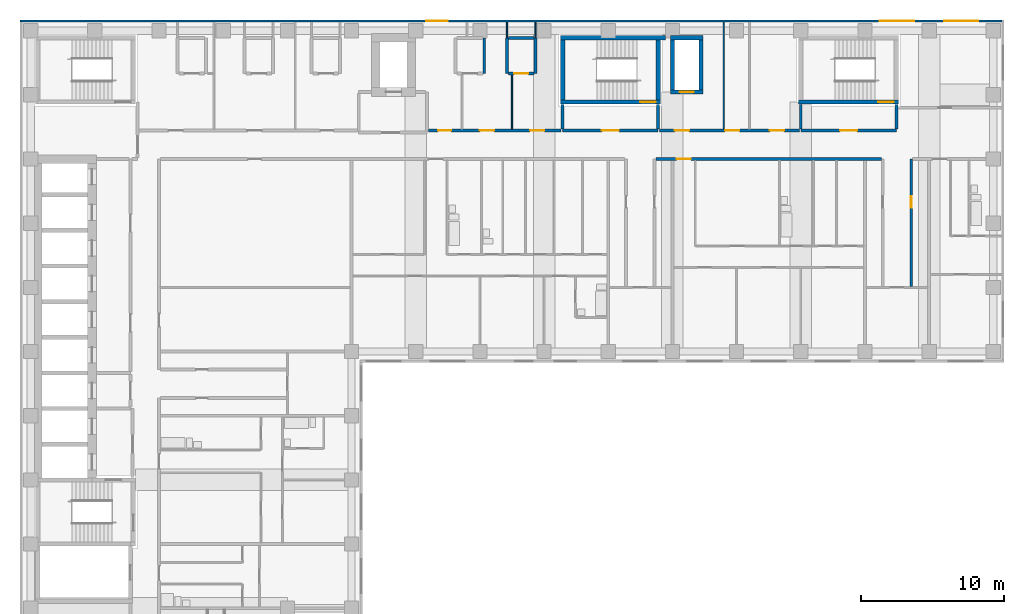
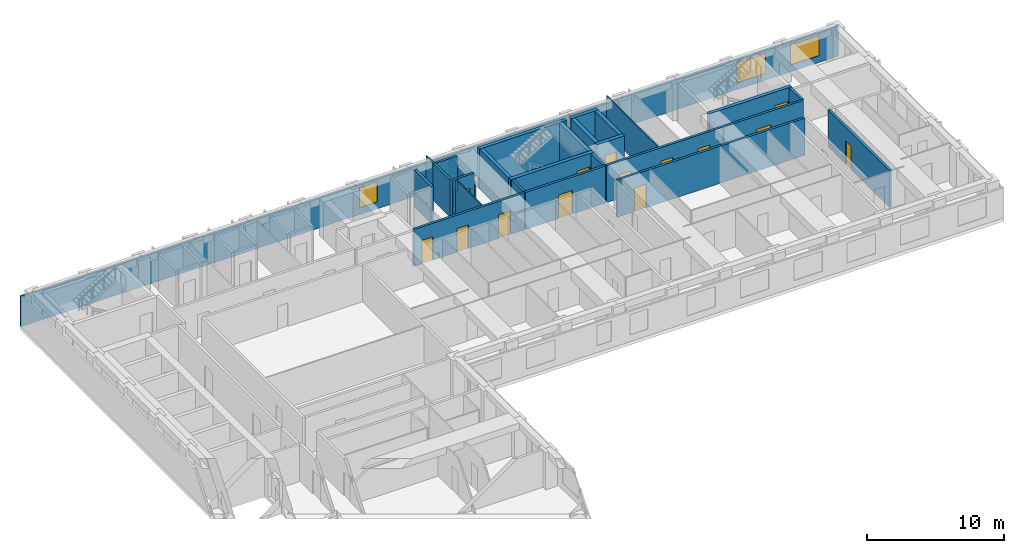
# One storey, part 8 of 12: 29 walls, 14 doors, 3 windows, 17 openings.
"""IFC4 building model written with IfcOpenShell, lengths in metres."""

from ifc_helpers import new_model, si_unit, direction, frame, frame_2d, origin, place, context, subcontext, project, spatial, rectangle, extrude, material, layer, layer_set, type_object, element, fill, save


model = new_model("IFC4")

# Units and contexts
model_context = context("Model", 3, precision=1e-05, world=origin(), true_north=direction((0.0, 1.0)))
body_context = subcontext(model_context, "Body", "Model", "MODEL_VIEW")
ifc_project = project(units=[si_unit("LENGTHUNIT", "METRE"), si_unit("AREAUNIT", "SQUARE_METRE"), si_unit("VOLUMEUNIT", "CUBIC_METRE"), si_unit("PLANEANGLEUNIT", "RADIAN"), si_unit("MASSUNIT", "GRAM", prefix="KILO")], contexts=[model_context])

# Site, building, storey
site_placement = place(None, origin())
site = spatial("IfcSite", under=ifc_project, at=site_placement, CompositionType="ELEMENT")
building_placement = place(site_placement, origin())
building = spatial("IfcBuilding", under=site, at=building_placement, Name="Firuza Court", CompositionType="ELEMENT")
storey_placement = place(building_placement, frame((0.0, 0.0, 155.60009765625)))
storey = spatial("IfcBuildingStorey", under=building, at=storey_placement, Name="L39", CompositionType="ELEMENT", Elevation=155.60009765625)

# Wall, opening, door
ifc_material_1 = material(Name="Concrete C60/75", Category="concrete")
ifc_layer_1 = layer(ifc_material_1, 0.300048828125)
ifc_layer_set_1 = layer_set([ifc_layer_1], Name="Concrete C60/75")
wall_type_1 = type_object("IfcWallType", Name="Core wall 300 C60/75", PredefinedType="SHEAR", material=ifc_layer_set_1)
wall_1_placement = place(storey_placement, frame((37.14990234375, 53.5, -0.300048828125), z_axis=(0.0, 0.0, 1.0), x_axis=(1.0, 0.0, 0.0)))
wall_1 = element("IfcWall", 1, at=wall_1_placement, inside=storey, type_object=wall_type_1, Name="Core wall stair L39", PredefinedType="SHEAR", context=body_context, shape_type="SweptSolid", body=[
    extrude(rectangle(XDim=7.0, YDim=0.300048828125, at=frame_2d((3.5, 0.0))), origin(), (0.0, 0.0, 1.0), 3.599853515625),
])
opening_1_placement = place(wall_1_placement, frame((5.580078125, 0.0, 0.300048828125)))
opening_1 = element("IfcOpeningElement", 2, at=opening_1_placement, cuts=wall_1, Name="Opening D39012", PredefinedType="OPENING", context=body_context, shape_type="SweptSolid", body=[
    extrude(rectangle(XDim=1.10009765625, YDim=2.10009765625, at=frame_2d((0.550048828125, 1.050048828125))), frame((0.0, 0.162109375, 0.0), z_axis=(0.0, -1.0, 0.0), x_axis=(1.0, 0.0, 0.0)), (0.0, 0.0, 1.0), 0.323974609375),
])
ifc_material_2 = material(Name="Timber door leaf in hardwood frame", Category="wood")
door_type_1 = type_object("IfcDoorType", Name="Stair door 1100", OperationType="SINGLE_SWING_LEFT", PredefinedType="DOOR", material=ifc_material_2)
door_1_placement = place(opening_1_placement, origin())
door_1 = element("IfcDoor", 3, at=door_1_placement, inside=storey, type_object=door_type_1, Name="Stair door S1", OperationType="SINGLE_SWING_RIGHT", OverallHeight=2.10009765625, OverallWidth=1.10009765625, PredefinedType="DOOR", context=body_context, shape_type="SweptSolid", body=[
    extrude(rectangle(XDim=1.10009765625, YDim=2.10009765625, at=frame_2d((0.550048828125, 1.050048828125))), frame((0.0, 0.02490234375, 0.0), z_axis=(0.0, -1.0, 0.0), x_axis=(1.0, 0.0, 0.0)), (0.0, 0.0, 1.0), 0.050048828125),
])
fill(opening_1, door_1)

# Walls
wall_2_placement = place(storey_placement, frame((37.14990234375, 58.0, -0.300048828125), z_axis=(0.0, 0.0, 1.0), x_axis=(1.0, 0.0, 0.0)))
element("IfcWall", 4, at=wall_2_placement, inside=storey, type_object=wall_type_1, Name="Core wall stair L39", PredefinedType="SHEAR", context=body_context, shape_type="SweptSolid", body=[
    extrude(rectangle(XDim=7.35009765625, YDim=0.300048828125, at=frame_2d((3.675048828125, 0.0))), origin(), (0.0, 0.0, 1.0), 3.599853515625),
])
for number, where, z_axis, x_axis, name in (
    (5, (37.300048828125, 53.64990234375, -0.300048828125), (0.0, 0.0, 1.0), (0.0, 1.0, 0.0), "Core wall stair L39"),
    (6, (44.0, 53.64990234375, -0.300048828125), (0.0, 0.0, 1.0), (0.0, 1.0, 0.0), "Core wall stair L39"),
):
    element("IfcWall", number, at=place(storey_placement, frame(where, z_axis=z_axis, x_axis=x_axis)), inside=storey, type_object=wall_type_1, Name=name, PredefinedType="SHEAR", context=body_context, shape_type="SweptSolid", body=[
        extrude(rectangle(XDim=4.2001953125, YDim=0.300048828125, at=frame_2d((2.10009765625, 0.0))), origin(), (0.0, 0.0, 1.0), 3.599853515625),
    ])

# Wall, opening, door
wall_3_placement = place(storey_placement, frame((44.85009765625, 54.199951171875, -0.300048828125), z_axis=(0.0, 0.0, 1.0), x_axis=(1.0, 0.0, 0.0)))
wall_3 = element("IfcWall", 7, at=wall_3_placement, inside=storey, type_object=wall_type_1, Name="Core wall riser L39", PredefinedType="SHEAR", context=body_context, shape_type="SweptSolid", body=[
    extrude(rectangle(XDim=2.2998046875, YDim=0.300048828125, at=frame_2d((1.14990234375, 0.0))), origin(), (0.0, 0.0, 1.0), 3.599853515625),
])
opening_2_placement = place(wall_3_placement, frame((0.64990234375, 0.0, 0.300048828125)))
opening_2 = element("IfcOpeningElement", 8, at=opening_2_placement, cuts=wall_3, Name="Opening D39010", PredefinedType="OPENING", context=body_context, shape_type="SweptSolid", body=[
    extrude(rectangle(XDim=1.0, YDim=2.10009765625, at=frame_2d((0.5, 1.050048828125))), frame((0.0, 0.162109375, 0.0), z_axis=(0.0, -1.0, 0.0), x_axis=(1.0, 0.0, 0.0)), (0.0, 0.0, 1.0), 0.323974609375),
])
ifc_material_3 = material(Name="Timber door leaf in hardwood frame", Category="wood")
door_type_2 = type_object("IfcDoorType", Name="Riser door 1000", OperationType="SINGLE_SWING_LEFT", PredefinedType="DOOR", material=ifc_material_3)
door_2_placement = place(opening_2_placement, origin())
door_2 = element("IfcDoor", 9, at=door_2_placement, inside=storey, type_object=door_type_2, Name="Riser door R3", OperationType="SINGLE_SWING_LEFT", OverallHeight=2.10009765625, OverallWidth=1.0, PredefinedType="DOOR", context=body_context, shape_type="SweptSolid", body=[
    extrude(rectangle(XDim=1.0, YDim=2.10009765625, at=frame_2d((0.5, 1.050048828125))), frame((0.0, 0.02490234375, 0.0), z_axis=(0.0, -1.0, 0.0), x_axis=(1.0, 0.0, 0.0)), (0.0, 0.0, 1.0), 0.050048828125),
])
fill(opening_2, door_2)

# Walls
wall_4_placement = place(storey_placement, frame((44.85009765625, 58.0, -0.300048828125), z_axis=(0.0, 0.0, 1.0), x_axis=(1.0, 0.0, 0.0)))
element("IfcWall", 10, at=wall_4_placement, inside=storey, type_object=wall_type_1, Name="Core wall riser L39", PredefinedType="SHEAR", context=body_context, shape_type="SweptSolid", body=[
    extrude(rectangle(XDim=2.2998046875, YDim=0.300048828125, at=frame_2d((1.14990234375, 0.0))), origin(), (0.0, 0.0, 1.0), 3.599853515625),
])
for number, where, z_axis, x_axis, name in (
    (11, (45.0, 54.35009765625, -0.300048828125), (0.0, 0.0, 1.0), (0.0, 1.0, 0.0), "Core wall riser L39"),
    (12, (47.0, 54.35009765625, -0.300048828125), (0.0, 0.0, 1.0), (0.0, 1.0, 0.0), "Core wall riser L39"),
):
    element("IfcWall", number, at=place(storey_placement, frame(where, z_axis=z_axis, x_axis=x_axis)), inside=storey, type_object=wall_type_1, Name=name, PredefinedType="SHEAR", context=body_context, shape_type="SweptSolid", body=[
        extrude(rectangle(XDim=3.5, YDim=0.300048828125, at=frame_2d((1.75, 0.0))), origin(), (0.0, 0.0, 1.0), 3.599853515625),
    ])

# Wall, opening, door
wall_5_placement = place(storey_placement, frame((53.85009765625, 53.5, -0.300048828125), z_axis=(0.0, 0.0, 1.0), x_axis=(1.0, 0.0, 0.0)))
wall_5 = element("IfcWall", 13, at=wall_5_placement, inside=storey, type_object=wall_type_1, Name="Core wall stair L39", PredefinedType="SHEAR", context=body_context, shape_type="SweptSolid", body=[
    extrude(rectangle(XDim=7.0, YDim=0.300048828125, at=frame_2d((3.5, 0.0))), origin(), (0.0, 0.0, 1.0), 3.599853515625),
])
opening_3_placement = place(wall_5_placement, frame((5.580078125, 0.0, 0.300048828125)))
opening_3 = element("IfcOpeningElement", 14, at=opening_3_placement, cuts=wall_5, Name="Opening D39016", PredefinedType="OPENING", context=body_context, shape_type="SweptSolid", body=[
    extrude(rectangle(XDim=1.10009765625, YDim=2.10009765625, at=frame_2d((0.550048828125, 1.050048828125))), frame((0.0, 0.162109375, 0.0), z_axis=(0.0, -1.0, 0.0), x_axis=(1.0, 0.0, 0.0)), (0.0, 0.0, 1.0), 0.323974609375),
])
door_3_placement = place(opening_3_placement, origin())
door_3 = element("IfcDoor", 15, at=door_3_placement, inside=storey, type_object=door_type_1, Name="Stair door S4", OperationType="SINGLE_SWING_RIGHT", OverallHeight=2.10009765625, OverallWidth=1.10009765625, PredefinedType="DOOR", context=body_context, shape_type="SweptSolid", body=[
    extrude(rectangle(XDim=1.10009765625, YDim=2.10009765625, at=frame_2d((0.550048828125, 1.050048828125))), frame((0.0, 0.02490234375, 0.0), z_axis=(0.0, -1.0, 0.0), x_axis=(1.0, 0.0, 0.0)), (0.0, 0.0, 1.0), 0.050048828125),
])
fill(opening_3, door_3)

ifc_material_4 = material(Name="Blockwork, plastered both sides", Category="masonry")
ifc_layer_2 = layer(ifc_material_4, 0.199951171875)
ifc_layer_set_2 = layer_set([ifc_layer_2], Name="Blockwork, plastered both sides")
wall_type_2 = type_object("IfcWallType", Name="Corridor wall 200", PredefinedType="PARTITIONING", material=ifc_layer_set_2)
wall_6_placement = place(storey_placement, frame((61.75, 40.550048828125, 0.0), z_axis=(0.0, 0.0, 1.0), x_axis=(0.0, 1.0, 0.0)))
wall_6 = element("IfcWall", 16, at=wall_6_placement, inside=storey, type_object=wall_type_2, Name="Corridor wall 200 L39", PredefinedType="PARTITIONING", context=body_context, shape_type="SweptSolid", body=[
    extrude(rectangle(XDim=8.949951171875, YDim=0.199951171875, at=frame_2d((4.47509765625, 0.0))), origin(), (0.0, 0.0, 1.0), 3.2998046875),
])
opening_4_placement = place(wall_6_placement, frame((5.550048828125, 0.0, 0.0)))
opening_4 = element("IfcOpeningElement", 17, at=opening_4_placement, cuts=wall_6, Name="Opening D39045", PredefinedType="OPENING", context=body_context, shape_type="SweptSolid", body=[
    extrude(rectangle(XDim=0.800048828125, YDim=2.10009765625, at=frame_2d((0.39990234375, 1.050048828125))), frame((0.0, 0.11181640625, 0.0), z_axis=(0.0, -1.0, 0.0), x_axis=(1.0, 0.0, 0.0)), (0.0, 0.0, 1.0), 0.223876953125),
])
ifc_material_5 = material(Name="Timber door leaf in hardwood frame", Category="wood")
door_type_3 = type_object("IfcDoorType", Name="Room door 800 EI 30", OperationType="SINGLE_SWING_LEFT", PredefinedType="DOOR", material=ifc_material_5)
door_4_placement = place(opening_4_placement, frame((0.800048828125, 0.0, 0.0), z_axis=(0.0, 0.0, 1.0), x_axis=(-1.0, 0.0, 0.0)))
door_4 = element("IfcDoor", 18, at=door_4_placement, inside=storey, type_object=door_type_3, Name="Store door", OperationType="SINGLE_SWING_LEFT", OverallHeight=2.10009765625, OverallWidth=0.800048828125, PredefinedType="DOOR", context=body_context, shape_type="SweptSolid", body=[
    extrude(rectangle(XDim=0.800048828125, YDim=2.10009765625, at=frame_2d((0.39990234375, 1.050048828125))), frame((0.0, 0.02490234375, 0.0), z_axis=(0.0, -1.0, 0.0), x_axis=(1.0, 0.0, 0.0)), (0.0, 0.0, 1.0), 0.050048828125),
])
fill(opening_4, door_4)

wall_7_placement = place(storey_placement, frame((43.85009765625, 49.5, 0.0), z_axis=(0.0, 0.0, 1.0), x_axis=(1.0, 0.0, 0.0)))
wall_7 = element("IfcWall", 19, at=wall_7_placement, inside=storey, type_object=wall_type_2, Name="Corridor wall 200 L39", PredefinedType="PARTITIONING", context=body_context, shape_type="SweptSolid", body=[
    extrude(rectangle(XDim=15.7998046875, YDim=0.199951171875, at=frame_2d((7.89990234375, 0.0))), origin(), (0.0, 0.0, 1.0), 3.2998046875),
])
opening_5_placement = place(wall_7_placement, frame((1.449951171875, 0.0, 0.0)))
opening_5 = element("IfcOpeningElement", 20, at=opening_5_placement, cuts=wall_7, Name="Opening D39068", PredefinedType="OPENING", context=body_context, shape_type="SweptSolid", body=[
    extrude(rectangle(XDim=1.0, YDim=2.10009765625, at=frame_2d((0.5, 1.050048828125))), frame((0.0, 0.11181640625, 0.0), z_axis=(0.0, -1.0, 0.0), x_axis=(1.0, 0.0, 0.0)), (0.0, 0.0, 1.0), 0.223876953125),
])
ifc_material_6 = material(Name="Timber door leaf in hardwood frame", Category="wood")
door_type_4 = type_object("IfcDoorType", Name="Flat entrance door 1000", OperationType="SINGLE_SWING_LEFT", PredefinedType="DOOR", material=ifc_material_6)
door_5_placement = place(opening_5_placement, origin())
door_5 = element("IfcDoor", 21, at=door_5_placement, inside=storey, type_object=door_type_4, Name="Flat entrance door", OperationType="SINGLE_SWING_LEFT", OverallHeight=2.10009765625, OverallWidth=1.0, PredefinedType="DOOR", context=body_context, shape_type="SweptSolid", body=[
    extrude(rectangle(XDim=1.0, YDim=2.10009765625, at=frame_2d((0.5, 1.050048828125))), frame((0.0, 0.02490234375, 0.0), z_axis=(0.0, -1.0, 0.0), x_axis=(1.0, 0.0, 0.0)), (0.0, 0.0, 1.0), 0.050048828125),
])
fill(opening_5, door_5)

# Wall, openings, doors
wall_8_placement = place(storey_placement, frame((27.89990234375, 51.5, 0.0), z_axis=(0.0, 0.0, 1.0), x_axis=(1.0, 0.0, 0.0)))
wall_8 = element("IfcWall", 22, at=wall_8_placement, inside=storey, type_object=wall_type_2, Name="Corridor wall 200 L39", PredefinedType="PARTITIONING", context=body_context, shape_type="SweptSolid", body=[
    extrude(rectangle(XDim=9.300048828125, YDim=0.199951171875, at=frame_2d((4.64990234375, 0.0))), origin(), (0.0, 0.0, 1.0), 3.2998046875),
])
opening_6_placement = place(wall_8_placement, frame((0.675048828125, 0.0, 0.0)))
opening_6 = element("IfcOpeningElement", 23, at=opening_6_placement, cuts=wall_8, Name="Opening D39073", PredefinedType="OPENING", context=body_context, shape_type="SweptSolid", body=[
    extrude(rectangle(XDim=0.89990234375, YDim=2.10009765625, at=frame_2d((0.449951171875, 1.050048828125))), frame((0.0, 0.11181640625, 0.0), z_axis=(0.0, -1.0, 0.0), x_axis=(1.0, 0.0, 0.0)), (0.0, 0.0, 1.0), 0.223876953125),
])
opening_7_placement = place(wall_8_placement, frame((3.60009765625, 0.0, 0.0)))
opening_7 = element("IfcOpeningElement", 24, at=opening_7_placement, cuts=wall_8, Name="Opening D39074", PredefinedType="OPENING", context=body_context, shape_type="SweptSolid", body=[
    extrude(rectangle(XDim=1.0, YDim=2.10009765625, at=frame_2d((0.5, 1.050048828125))), frame((0.0, 0.11181640625, 0.0), z_axis=(0.0, -1.0, 0.0), x_axis=(1.0, 0.0, 0.0)), (0.0, 0.0, 1.0), 0.223876953125),
])
opening_8_placement = place(wall_8_placement, frame((7.125, 0.0, 0.0)))
opening_8 = element("IfcOpeningElement", 25, at=opening_8_placement, cuts=wall_8, Name="Opening D39075", PredefinedType="OPENING", context=body_context, shape_type="SweptSolid", body=[
    extrude(rectangle(XDim=1.0, YDim=2.10009765625, at=frame_2d((0.5, 1.050048828125))), frame((0.0, 0.11181640625, 0.0), z_axis=(0.0, -1.0, 0.0), x_axis=(1.0, 0.0, 0.0)), (0.0, 0.0, 1.0), 0.223876953125),
])
ifc_material_7 = material(Name="Timber door leaf in hardwood frame", Category="wood")
door_type_5 = type_object("IfcDoorType", Name="Room door 900 EI 30", OperationType="SINGLE_SWING_LEFT", PredefinedType="DOOR", material=ifc_material_7)
door_6_placement = place(opening_6_placement, origin())
door_6 = element("IfcDoor", 26, at=door_6_placement, inside=storey, type_object=door_type_5, Name="Residents' workroom door", OperationType="SINGLE_SWING_LEFT", OverallHeight=2.10009765625, OverallWidth=0.89990234375, PredefinedType="DOOR", context=body_context, shape_type="SweptSolid", body=[
    extrude(rectangle(XDim=0.89990234375, YDim=2.10009765625, at=frame_2d((0.449951171875, 1.050048828125))), frame((0.0, 0.02490234375, 0.0), z_axis=(0.0, -1.0, 0.0), x_axis=(1.0, 0.0, 0.0)), (0.0, 0.0, 1.0), 0.050048828125),
])
fill(opening_6, door_6)
ifc_material_8 = material(Name="Timber door leaf in hardwood frame", Category="wood")
door_type_6 = type_object("IfcDoorType", Name="Store door 1000", OperationType="SINGLE_SWING_LEFT", PredefinedType="DOOR", material=ifc_material_8)
door_7_placement = place(opening_7_placement, origin())
door_7 = element("IfcDoor", 27, at=door_7_placement, inside=storey, type_object=door_type_6, Name="Refuse store door", OperationType="SINGLE_SWING_LEFT", OverallHeight=2.10009765625, OverallWidth=1.0, PredefinedType="DOOR", context=body_context, shape_type="SweptSolid", body=[
    extrude(rectangle(XDim=1.0, YDim=2.10009765625, at=frame_2d((0.5, 1.050048828125))), frame((0.0, 0.02490234375, 0.0), z_axis=(0.0, -1.0, 0.0), x_axis=(1.0, 0.0, 0.0)), (0.0, 0.0, 1.0), 0.050048828125),
])
fill(opening_7, door_7)
door_8_placement = place(opening_8_placement, origin())
door_8 = element("IfcDoor", 28, at=door_8_placement, inside=storey, type_object=door_type_6, Name="Cleaner's store door", OperationType="SINGLE_SWING_LEFT", OverallHeight=2.10009765625, OverallWidth=1.0, PredefinedType="DOOR", context=body_context, shape_type="SweptSolid", body=[
    extrude(rectangle(XDim=1.0, YDim=2.10009765625, at=frame_2d((0.5, 1.050048828125))), frame((0.0, 0.02490234375, 0.0), z_axis=(0.0, -1.0, 0.0), x_axis=(1.0, 0.0, 0.0)), (0.0, 0.0, 1.0), 0.050048828125),
])
fill(opening_8, door_8)

wall_9_placement = place(storey_placement, frame((44.10009765625, 51.5, 0.0), z_axis=(0.0, 0.0, 1.0), x_axis=(1.0, 0.0, 0.0)))
wall_9 = element("IfcWall", 29, at=wall_9_placement, inside=storey, type_object=wall_type_2, Name="Corridor wall 200 L39", PredefinedType="PARTITIONING", context=body_context, shape_type="SweptSolid", body=[
    extrude(rectangle(XDim=9.7998046875, YDim=0.199951171875, at=frame_2d((4.89990234375, 0.0))), origin(), (0.0, 0.0, 1.0), 3.2998046875),
])
opening_9_placement = place(wall_9_placement, frame((7.72509765625, 0.0, 0.0)))
opening_9 = element("IfcOpeningElement", 30, at=opening_9_placement, cuts=wall_9, Name="Opening D39076", PredefinedType="OPENING", context=body_context, shape_type="SweptSolid", body=[
    extrude(rectangle(XDim=1.0, YDim=2.10009765625, at=frame_2d((0.5, 1.050048828125))), frame((0.0, 0.11181640625, 0.0), z_axis=(0.0, -1.0, 0.0), x_axis=(1.0, 0.0, 0.0)), (0.0, 0.0, 1.0), 0.223876953125),
])
opening_10_placement = place(wall_9_placement, frame((1.074951171875, 0.0, 0.0)))
opening_10 = element("IfcOpeningElement", 31, at=opening_10_placement, cuts=wall_9, Name="Opening D39077", PredefinedType="OPENING", context=body_context, shape_type="SweptSolid", body=[
    extrude(rectangle(XDim=1.0, YDim=2.10009765625, at=frame_2d((0.5, 1.050048828125))), frame((0.0, 0.11181640625, 0.0), z_axis=(0.0, -1.0, 0.0), x_axis=(1.0, 0.0, 0.0)), (0.0, 0.0, 1.0), 0.223876953125),
])
opening_11_placement = place(wall_9_placement, frame((4.60009765625, 0.0, 0.0)))
opening_11 = element("IfcOpeningElement", 32, at=opening_11_placement, cuts=wall_9, Name="Opening D39078", PredefinedType="OPENING", context=body_context, shape_type="SweptSolid", body=[
    extrude(rectangle(XDim=1.0, YDim=2.10009765625, at=frame_2d((0.5, 1.050048828125))), frame((0.0, 0.11181640625, 0.0), z_axis=(0.0, -1.0, 0.0), x_axis=(1.0, 0.0, 0.0)), (0.0, 0.0, 1.0), 0.223876953125),
])
door_9_placement = place(opening_9_placement, origin())
door_9 = element("IfcDoor", 33, at=door_9_placement, inside=storey, type_object=door_type_6, Name="Cleaner's store door", OperationType="SINGLE_SWING_LEFT", OverallHeight=2.10009765625, OverallWidth=1.0, PredefinedType="DOOR", context=body_context, shape_type="SweptSolid", body=[
    extrude(rectangle(XDim=1.0, YDim=2.10009765625, at=frame_2d((0.5, 1.050048828125))), frame((0.0, 0.02490234375, 0.0), z_axis=(0.0, -1.0, 0.0), x_axis=(1.0, 0.0, 0.0)), (0.0, 0.0, 1.0), 0.050048828125),
])
fill(opening_9, door_9)
door_10_placement = place(opening_10_placement, origin())
door_10 = element("IfcDoor", 34, at=door_10_placement, inside=storey, type_object=door_type_6, Name="Comms room door", OperationType="SINGLE_SWING_LEFT", OverallHeight=2.10009765625, OverallWidth=1.0, PredefinedType="DOOR", context=body_context, shape_type="SweptSolid", body=[
    extrude(rectangle(XDim=1.0, YDim=2.10009765625, at=frame_2d((0.5, 1.050048828125))), frame((0.0, 0.02490234375, 0.0), z_axis=(0.0, -1.0, 0.0), x_axis=(1.0, 0.0, 0.0)), (0.0, 0.0, 1.0), 0.050048828125),
])
fill(opening_10, door_10)
door_11_placement = place(opening_11_placement, origin())
door_11 = element("IfcDoor", 35, at=door_11_placement, inside=storey, type_object=door_type_6, Name="Bicycle store door", OperationType="SINGLE_SWING_LEFT", OverallHeight=2.10009765625, OverallWidth=1.0, PredefinedType="DOOR", context=body_context, shape_type="SweptSolid", body=[
    extrude(rectangle(XDim=1.0, YDim=2.10009765625, at=frame_2d((0.5, 1.050048828125))), frame((0.0, 0.02490234375, 0.0), z_axis=(0.0, -1.0, 0.0), x_axis=(1.0, 0.0, 0.0)), (0.0, 0.0, 1.0), 0.050048828125),
])
fill(opening_11, door_11)

# Walls
ifc_material_9 = material(Name="Timber stud partition, plasterboard both sides", Category="wood")
ifc_layer_3 = layer(ifc_material_9, 0.10009765625)
ifc_layer_set_3 = layer_set([ifc_layer_3], Name="Timber stud partition, plasterboard both sides")
wall_type_3 = type_object("IfcWallType", Name="Partition wall 100", PredefinedType="PARTITIONING", material=ifc_layer_set_3)
wall_10_placement = place(storey_placement, frame((33.75, 51.60009765625, 0.0), z_axis=(0.0, 0.0, 1.0), x_axis=(0.0, 1.0, 0.0)))
element("IfcWall", 36, at=wall_10_placement, inside=storey, type_object=wall_type_3, Name="Partition wall 100 L39", PredefinedType="PARTITIONING", context=body_context, shape_type="SweptSolid", body=[
    extrude(rectangle(XDim=3.7998046875, YDim=0.10009765625, at=frame_2d((1.89990234375, 0.0))), origin(), (0.0, 0.0, 1.0), 3.2998046875),
])
wall_11_placement = place(storey_placement, frame((48.60009765625, 51.60009765625, 0.0), z_axis=(0.0, 0.0, 1.0), x_axis=(0.0, 1.0, 0.0)))
element("IfcWall", 37, at=wall_11_placement, inside=storey, type_object=wall_type_3, Name="Partition wall 100 L39", PredefinedType="PARTITIONING", context=body_context, shape_type="SweptSolid", body=[
    extrude(rectangle(XDim=7.5, YDim=0.10009765625, at=frame_2d((3.75, 0.0))), origin(), (0.0, 0.0, 1.0), 3.2998046875),
])
wall_12_placement = place(storey_placement, frame((33.39990234375, 58.0, 0.0), z_axis=(0.0, 0.0, 1.0), x_axis=(0.0, 1.0, 0.0)))
element("IfcWall", 38, at=wall_12_placement, inside=storey, type_object=wall_type_3, Name="Partition wall 100 L39", PredefinedType="PARTITIONING", context=body_context, shape_type="SweptSolid", body=[
    extrude(rectangle(XDim=1.10009765625, YDim=0.10009765625, at=frame_2d((0.550048828125, 0.0))), origin(), (0.0, 0.0, 1.0), 3.2998046875),
])
wall_13_placement = place(storey_placement, frame((35.39990234375, 58.0, 0.0), z_axis=(0.0, 0.0, 1.0), x_axis=(0.0, 1.0, 0.0)))
element("IfcWall", 39, at=wall_13_placement, inside=storey, type_object=wall_type_3, Name="Partition wall 100 L39", PredefinedType="PARTITIONING", context=body_context, shape_type="SweptSolid", body=[
    extrude(rectangle(XDim=1.10009765625, YDim=0.10009765625, at=frame_2d((0.550048828125, 0.0))), origin(), (0.0, 0.0, 1.0), 2.39990234375),
])
ifc_material_10 = material(Name="Blockwork, fire-rated", Category="masonry")
ifc_layer_4 = layer(ifc_material_10, 0.199951171875)
ifc_layer_set_4 = layer_set([ifc_layer_4], Name="Blockwork, fire-rated")
wall_type_4 = type_object("IfcWallType", Name="Plant room wall 200", PredefinedType="PARTITIONING", material=ifc_layer_set_4)
for number, where, z_axis, x_axis, name in (
    (40, (31.800048828125, 55.5, 0.0), (0.0, 0.0, 1.0), (0.0, 1.0, 0.0), "Plant room wall 200 L39"),
    (41, (33.39990234375, 55.5, 0.0), (0.0, 0.0, 1.0), (0.0, 1.0, 0.0), "Plant room wall 200 L39"),
):
    element("IfcWall", number, at=place(storey_placement, frame(where, z_axis=z_axis, x_axis=x_axis)), inside=storey, type_object=wall_type_4, Name=name, PredefinedType="PARTITIONING", context=body_context, shape_type="SweptSolid", body=[
        extrude(rectangle(XDim=2.5, YDim=0.199951171875, at=frame_2d((1.25, 0.0))), origin(), (0.0, 0.0, 1.0), 3.2998046875),
    ])

# Wall, opening, door
wall_14_placement = place(storey_placement, frame((33.5, 55.5, 0.0), z_axis=(0.0, 0.0, 1.0), x_axis=(1.0, 0.0, 0.0)))
wall_14 = element("IfcWall", 42, at=wall_14_placement, inside=storey, type_object=wall_type_4, Name="Plant room wall 200 L39", PredefinedType="PARTITIONING", context=body_context, shape_type="SweptSolid", body=[
    extrude(rectangle(XDim=1.800048828125, YDim=0.199951171875, at=frame_2d((0.89990234375, 0.0))), origin(), (0.0, 0.0, 1.0), 3.2998046875),
])
opening_12_placement = place(wall_14_placement, frame((0.39990234375, 0.0, 0.0)))
opening_12 = element("IfcOpeningElement", 43, at=opening_12_placement, cuts=wall_14, Name="Opening D39084", PredefinedType="OPENING", context=body_context, shape_type="SweptSolid", body=[
    extrude(rectangle(XDim=1.0, YDim=2.10009765625, at=frame_2d((0.5, 1.050048828125))), frame((0.0, 0.11181640625, 0.0), z_axis=(0.0, -1.0, 0.0), x_axis=(1.0, 0.0, 0.0)), (0.0, 0.0, 1.0), 0.223876953125),
])
door_12_placement = place(opening_12_placement, origin())
door_12 = element("IfcDoor", 44, at=door_12_placement, inside=storey, type_object=door_type_2, Name="Duct riser door", OperationType="SINGLE_SWING_LEFT", OverallHeight=2.10009765625, OverallWidth=1.0, PredefinedType="DOOR", context=body_context, shape_type="SweptSolid", body=[
    extrude(rectangle(XDim=1.0, YDim=2.10009765625, at=frame_2d((0.5, 1.050048828125))), frame((0.0, 0.02490234375, 0.0), z_axis=(0.0, -1.0, 0.0), x_axis=(1.0, 0.0, 0.0)), (0.0, 0.0, 1.0), 0.050048828125),
])
fill(opening_12, door_12)

# Walls
wall_15_placement = place(storey_placement, frame((35.39990234375, 55.5, 0.0), z_axis=(0.0, 0.0, 1.0), x_axis=(0.0, 1.0, 0.0)))
element("IfcWall", 45, at=wall_15_placement, inside=storey, type_object=wall_type_4, Name="Plant room wall 200 L39", PredefinedType="PARTITIONING", context=body_context, shape_type="SweptSolid", body=[
    extrude(rectangle(XDim=2.5, YDim=0.199951171875, at=frame_2d((1.25, 0.0))), origin(), (0.0, 0.0, 1.0), 2.39990234375),
])
wall_16_placement = place(storey_placement, frame((33.5, 58.0, 0.0), z_axis=(0.0, 0.0, 1.0), x_axis=(1.0, 0.0, 0.0)))
element("IfcWall", 46, at=wall_16_placement, inside=storey, type_object=wall_type_4, Name="Plant room wall 200 L39", PredefinedType="PARTITIONING", context=body_context, shape_type="SweptSolid", body=[
    extrude(rectangle(XDim=1.800048828125, YDim=0.199951171875, at=frame_2d((0.89990234375, 0.0))), origin(), (0.0, 0.0, 1.0), 3.2998046875),
])

# Wall, openings, windows
ifc_material_11 = material(Name="Ceramic tile", Category="ceramic")
ifc_layer_5 = layer(ifc_material_11, 0.02001953125)
ifc_material_12 = material(Name="Mineral wool insulation", Category="insulation")
ifc_layer_6 = layer(ifc_material_12, 0.050048828125)
ifc_material_13 = material(Name="Concrete C40/50 precast", Category="concrete")
ifc_layer_7 = layer(ifc_material_13, 0.080078125)
ifc_layer_set_5 = layer_set([ifc_layer_5, ifc_layer_6, ifc_layer_7], Name="Concrete C40/50 precast")
wall_type_5 = type_object("IfcWallType", Name="Precast cladding wall with turquoise TILE PANEL face 150", PredefinedType="STANDARD", material=ifc_layer_set_5)
wall_17_placement = place(storey_placement, frame((68.10009765625, 59.175048828125, 0.0), z_axis=(0.0, 0.0, 1.0), x_axis=(-1.0, 0.0, 0.0)))
wall_17 = element("IfcWall", 47, at=wall_17_placement, inside=storey, type_object=wall_type_5, Name="Facade wall L39 N", PredefinedType="STANDARD", context=body_context, shape_type="SweptSolid", body=[
    extrude(rectangle(XDim=68.85009765625, YDim=0.14990234375, at=frame_2d((34.425048828125, 0.0))), origin(), (0.0, 0.0, 1.0), 2.699951171875),
])
opening_13_placement = place(wall_17_placement, frame((1.64990234375, 0.0, 0.60009765625)))
opening_13 = element("IfcOpeningElement", 48, at=opening_13_placement, cuts=wall_17, Name="Opening W1", PredefinedType="OPENING", context=body_context, shape_type="SweptSolid", body=[
    extrude(rectangle(XDim=2.39990234375, YDim=1.800048828125, at=frame_2d((1.199951171875, 0.89990234375))), frame((0.0, 0.0869140625, 0.0), z_axis=(0.0, -1.0, 0.0), x_axis=(1.0, 0.0, 0.0)), (0.0, 0.0, 1.0), 0.173828125),
])
opening_14_placement = place(wall_17_placement, frame((6.14990234375, 0.0, 0.60009765625)))
opening_14 = element("IfcOpeningElement", 49, at=opening_14_placement, cuts=wall_17, Name="Opening W1", PredefinedType="OPENING", context=body_context, shape_type="SweptSolid", body=[
    extrude(rectangle(XDim=2.39990234375, YDim=1.800048828125, at=frame_2d((1.199951171875, 0.89990234375))), frame((0.0, 0.0869140625, 0.0), z_axis=(0.0, -1.0, 0.0), x_axis=(1.0, 0.0, 0.0)), (0.0, 0.0, 1.0), 0.173828125),
])
opening_15_placement = place(wall_17_placement, frame((38.8466796875, 0.0, 0.60009765625)))
opening_15 = element("IfcOpeningElement", 50, at=opening_15_placement, cuts=wall_17, Name="Opening W2", PredefinedType="OPENING", context=body_context, shape_type="SweptSolid", body=[
    extrude(rectangle(XDim=1.5, YDim=1.800048828125, at=frame_2d((0.75, 0.89990234375))), frame((0.0, 0.0869140625, 0.0), z_axis=(0.0, -1.0, 0.0), x_axis=(1.0, 0.0, 0.0)), (0.0, 0.0, 1.0), 0.173828125),
])
ifc_material_14 = material(Name="Aluminium frame, triple clear glazing", Category="aluminium")
window_type_1 = type_object("IfcWindowType", Name="Window W1 2400 x 1800", PartitioningType="SINGLE_PANEL", PredefinedType="WINDOW", material=ifc_material_14)
window_1_placement = place(opening_13_placement, origin())
window_1 = element("IfcWindow", 51, at=window_1_placement, inside=storey, type_object=window_type_1, Name="Window L39", OverallHeight=1.800048828125, OverallWidth=2.39990234375, PartitioningType="SINGLE_PANEL", PredefinedType="WINDOW", context=body_context, shape_type="SweptSolid", body=[
    extrude(rectangle(XDim=2.39990234375, YDim=1.800048828125, at=frame_2d((1.199951171875, 0.89990234375))), frame((0.0, 0.030029296875, 0.0), z_axis=(0.0, -1.0, 0.0), x_axis=(1.0, 0.0, 0.0)), (0.0, 0.0, 1.0), 0.06005859375),
])
fill(opening_13, window_1)
window_2_placement = place(opening_14_placement, origin())
window_2 = element("IfcWindow", 52, at=window_2_placement, inside=storey, type_object=window_type_1, Name="Window L39", OverallHeight=1.800048828125, OverallWidth=2.39990234375, PartitioningType="SINGLE_PANEL", PredefinedType="WINDOW", context=body_context, shape_type="SweptSolid", body=[
    extrude(rectangle(XDim=2.39990234375, YDim=1.800048828125, at=frame_2d((1.199951171875, 0.89990234375))), frame((0.0, 0.030029296875, 0.0), z_axis=(0.0, -1.0, 0.0), x_axis=(1.0, 0.0, 0.0)), (0.0, 0.0, 1.0), 0.06005859375),
])
fill(opening_14, window_2)
ifc_material_15 = material(Name="Aluminium frame, triple clear glazing", Category="aluminium")
window_type_2 = type_object("IfcWindowType", Name="Window W2 1500 x 1800", PartitioningType="SINGLE_PANEL", PredefinedType="WINDOW", material=ifc_material_15)
window_3_placement = place(opening_15_placement, origin())
window_3 = element("IfcWindow", 53, at=window_3_placement, inside=storey, type_object=window_type_2, Name="Window L39", OverallHeight=1.800048828125, OverallWidth=1.5, PartitioningType="SINGLE_PANEL", PredefinedType="WINDOW", context=body_context, shape_type="SweptSolid", body=[
    extrude(rectangle(XDim=1.5, YDim=1.800048828125, at=frame_2d((0.75, 0.89990234375))), frame((0.0, 0.030029296875, 0.0), z_axis=(0.0, -1.0, 0.0), x_axis=(1.0, 0.0, 0.0)), (0.0, 0.0, 1.0), 0.06005859375),
])
fill(opening_15, window_3)

# Wall, opening, door
ifc_layer_8 = layer(ifc_material_10, 0.199951171875)
ifc_layer_set_6 = layer_set([ifc_layer_8], Name="Blockwork, fire-rated")
wall_type_6 = type_object("IfcWallType", Name="Shaft wall 200", PredefinedType="PARTITIONING", material=ifc_layer_set_6)
wall_18_placement = place(storey_placement, frame((37.300048828125, 51.5, 0.0), z_axis=(0.0, 0.0, 1.0), x_axis=(1.0, 0.0, 0.0)))
wall_18 = element("IfcWall", 54, at=wall_18_placement, inside=storey, type_object=wall_type_6, Name="Shaft wall 200 L39", PredefinedType="PARTITIONING", context=body_context, shape_type="SweptSolid", body=[
    extrude(rectangle(XDim=6.699951171875, YDim=0.199951171875, at=frame_2d((3.35009765625, 0.0))), origin(), (0.0, 0.0, 1.0), 3.2998046875),
])
opening_16_placement = place(wall_18_placement, frame((2.75, 0.0, 0.0)))
opening_16 = element("IfcOpeningElement", 55, at=opening_16_placement, cuts=wall_18, Name="Opening D39006", PredefinedType="OPENING", context=body_context, shape_type="SweptSolid", body=[
    extrude(rectangle(XDim=1.199951171875, YDim=2.10009765625, at=frame_2d((0.60009765625, 1.050048828125))), frame((0.0, 0.11181640625, 0.0), z_axis=(0.0, -1.0, 0.0), x_axis=(1.0, 0.0, 0.0)), (0.0, 0.0, 1.0), 0.223876953125),
])
ifc_material_16 = material(Name="Timber door leaf in hardwood frame", Category="wood")
door_type_7 = type_object("IfcDoorType", Name="Lobby door 1200", OperationType="SINGLE_SWING_LEFT", PredefinedType="DOOR", material=ifc_material_16)
door_13_placement = place(opening_16_placement, origin())
door_13 = element("IfcDoor", 56, at=door_13_placement, inside=storey, type_object=door_type_7, Name="Lobby door", OperationType="SINGLE_SWING_LEFT", OverallHeight=2.10009765625, OverallWidth=1.199951171875, PredefinedType="DOOR", context=body_context, shape_type="SweptSolid", body=[
    extrude(rectangle(XDim=1.199951171875, YDim=2.10009765625, at=frame_2d((0.60009765625, 1.050048828125))), frame((0.0, 0.02490234375, 0.0), z_axis=(0.0, -1.0, 0.0), x_axis=(1.0, 0.0, 0.0)), (0.0, 0.0, 1.0), 0.050048828125),
])
fill(opening_16, door_13)

# Walls
for number, where, z_axis, x_axis, name in (
    (57, (44.0, 51.60009765625, 0.0), (0.0, 0.0, 1.0), (0.0, 1.0, 0.0), "Shaft wall 200 L39"),
    (58, (37.300048828125, 51.60009765625, 0.0), (0.0, 0.0, 1.0), (0.0, 1.0, 0.0), "Shaft wall 200 L39"),
):
    element("IfcWall", number, at=place(storey_placement, frame(where, z_axis=z_axis, x_axis=x_axis)), inside=storey, type_object=wall_type_6, Name=name, PredefinedType="PARTITIONING", context=body_context, shape_type="SweptSolid", body=[
        extrude(rectangle(XDim=1.72998046875, YDim=0.199951171875, at=frame_2d((0.864990234375, 0.0))), origin(), (0.0, 0.0, 1.0), 3.2998046875),
    ])

# Wall, opening, door
wall_19_placement = place(storey_placement, frame((54.0, 51.5, 0.0), z_axis=(0.0, 0.0, 1.0), x_axis=(1.0, 0.0, 0.0)))
wall_19 = element("IfcWall", 59, at=wall_19_placement, inside=storey, type_object=wall_type_6, Name="Shaft wall 200 L39", PredefinedType="PARTITIONING", context=body_context, shape_type="SweptSolid", body=[
    extrude(rectangle(XDim=6.699951171875, YDim=0.199951171875, at=frame_2d((3.35009765625, 0.0))), origin(), (0.0, 0.0, 1.0), 3.2998046875),
])
opening_17_placement = place(wall_19_placement, frame((2.75, 0.0, 0.0)))
opening_17 = element("IfcOpeningElement", 60, at=opening_17_placement, cuts=wall_19, Name="Opening D39007", PredefinedType="OPENING", context=body_context, shape_type="SweptSolid", body=[
    extrude(rectangle(XDim=1.199951171875, YDim=2.10009765625, at=frame_2d((0.60009765625, 1.050048828125))), frame((0.0, 0.11181640625, 0.0), z_axis=(0.0, -1.0, 0.0), x_axis=(1.0, 0.0, 0.0)), (0.0, 0.0, 1.0), 0.223876953125),
])
door_14_placement = place(opening_17_placement, origin())
door_14 = element("IfcDoor", 61, at=door_14_placement, inside=storey, type_object=door_type_7, Name="Lobby door", OperationType="SINGLE_SWING_LEFT", OverallHeight=2.10009765625, OverallWidth=1.199951171875, PredefinedType="DOOR", context=body_context, shape_type="SweptSolid", body=[
    extrude(rectangle(XDim=1.199951171875, YDim=2.10009765625, at=frame_2d((0.60009765625, 1.050048828125))), frame((0.0, 0.02490234375, 0.0), z_axis=(0.0, -1.0, 0.0), x_axis=(1.0, 0.0, 0.0)), (0.0, 0.0, 1.0), 0.050048828125),
])
fill(opening_17, door_14)

# Walls
wall_20_placement = place(storey_placement, frame((60.699951171875, 51.60009765625, 0.0), z_axis=(0.0, 0.0, 1.0), x_axis=(0.0, 1.0, 0.0)))
element("IfcWall", 62, at=wall_20_placement, inside=storey, type_object=wall_type_6, Name="Shaft wall 200 L39", PredefinedType="PARTITIONING", context=body_context, shape_type="SweptSolid", body=[
    extrude(rectangle(XDim=1.72998046875, YDim=0.199951171875, at=frame_2d((0.864990234375, 0.0))), origin(), (0.0, 0.0, 1.0), 3.2998046875),
])
wall_21_placement = place(storey_placement, frame((54.0, 51.60009765625, 0.0), z_axis=(0.0, 0.0, 1.0), x_axis=(0.0, 1.0, 0.0)))
element("IfcWall", 63, at=wall_21_placement, inside=storey, type_object=wall_type_6, Name="Shaft wall 200 L39", PredefinedType="PARTITIONING", context=body_context, shape_type="SweptSolid", body=[
    extrude(rectangle(XDim=1.72998046875, YDim=0.199951171875, at=frame_2d((0.864990234375, 0.0))), origin(), (0.0, 0.0, 1.0), 2.599853515625),
])

save(model, "model.ifc")
